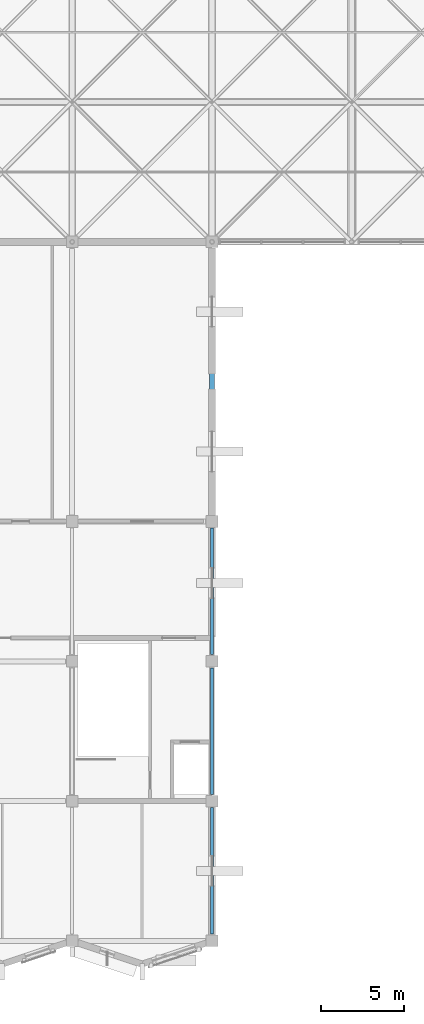
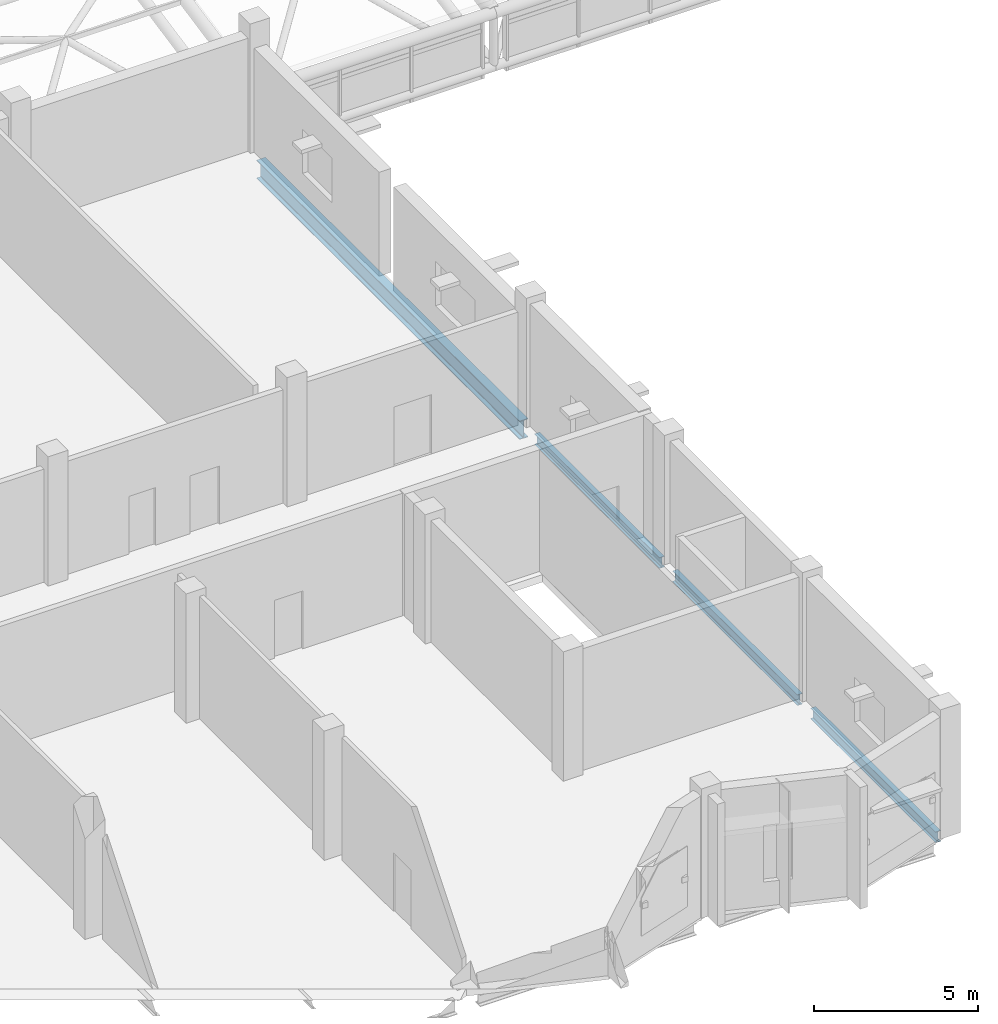
# One storey, part 32 of 110: 4 beams.
"""IFC4 building model written with IfcOpenShell, lengths in metres."""

from ifc_helpers import new_model, si_unit, direction, frame, origin, origin_2d, place, context, subcontext, project, spatial, i_section, extrude, material, material_profile, profile_set, type_object, element, save


model = new_model("IFC4")

# Units and contexts
model_context = context("Model", 3, precision=1e-05, world=origin(), true_north=direction((0.0, 1.0)))
body_context = subcontext(model_context, "Body", "Model", "MODEL_VIEW")
ifc_project = project(units=[si_unit("LENGTHUNIT", "METRE"), si_unit("AREAUNIT", "SQUARE_METRE"), si_unit("VOLUMEUNIT", "CUBIC_METRE"), si_unit("PLANEANGLEUNIT", "RADIAN"), si_unit("MASSUNIT", "GRAM", prefix="KILO")], contexts=[model_context])

# Site, building, storey
site_placement = place(None, origin())
site = spatial("IfcSite", under=ifc_project, at=site_placement, CompositionType="ELEMENT")
building_placement = place(site_placement, origin())
building = spatial("IfcBuilding", under=site, at=building_placement, Name="Qawsi Khor Wholesale Market", CompositionType="ELEMENT")
storey_placement = place(building_placement, frame((0.0, 0.0, 11.39990234375)))
storey = spatial("IfcBuildingStorey", under=building, at=storey_placement, Name="L02", CompositionType="ELEMENT", Elevation=11.39990234375)

# Beams
ifc_material = material(Name="Steel S355", Category="steel")
ifc_material_profile_1 = material_profile(ifc_material, i_section(OverallWidth=0.300048828125, OverallDepth=0.68994140625, WebThickness=0.014404296875, FlangeThickness=0.027099609375, FilletRadius=0.027099609375, at=origin_2d()), Name="HEA 700")
ifc_profile_set_1 = profile_set([ifc_material_profile_1], Name="Steel S355")
beam_type_1 = type_object("IfcBeamType", Name="Primary Girder HEA 700", PredefinedType="BEAM", material=ifc_profile_set_1)
beam_1_placement = place(storey_placement, frame((193.199951171875, 25.60009765625, -0.625), z_axis=(0.0, 1.0, 0.0), x_axis=(-1.0, 0.0, 0.0)))
element("IfcBeam", 1, at=beam_1_placement, inside=storey, type_object=beam_type_1, Name="BM-YL-L02-23_+03", PredefinedType="BEAM", context=body_context, shape_type="SweptSolid", body=[
    extrude(i_section(OverallWidth=0.300048828125, OverallDepth=0.68994140625, WebThickness=0.014404296875, FlangeThickness=0.027099609375, FilletRadius=0.027099609375, at=origin_2d()), origin(), (0.0, 0.0, 1.0), 16.0),
])
ifc_material_profile_2 = material_profile(ifc_material, i_section(OverallWidth=0.179931640625, OverallDepth=0.39990234375, WebThickness=0.008544921875, FlangeThickness=0.013427734375, FilletRadius=0.02099609375, at=origin_2d()), Name="IPE 400")
ifc_profile_set_2 = profile_set([ifc_material_profile_2], Name="Steel S355")
beam_type_2 = type_object("IfcBeamType", Name="Secondary Beam IPE 400", PredefinedType="BEAM", material=ifc_profile_set_2)
beam_2_placement = place(storey_placement, frame((193.199951171875, 0.39990234375, -0.47998046875), z_axis=(0.0, 1.0, 0.0), x_axis=(-1.0, 0.0, 0.0)))
element("IfcBeam", 2, at=beam_2_placement, inside=storey, type_object=beam_type_2, Name="BM-Y-L02-23_+00", PredefinedType="BEAM", context=body_context, shape_type="SweptSolid", body=[
    extrude(i_section(OverallWidth=0.179931640625, OverallDepth=0.39990234375, WebThickness=0.008544921875, FlangeThickness=0.013427734375, FilletRadius=0.02099609375, at=origin_2d()), origin(), (0.0, 0.0, 1.0), 7.60009765625),
])
beam_3_placement = place(storey_placement, frame((193.199951171875, 8.800048828125, -0.47998046875), z_axis=(0.0, 1.0, 0.0), x_axis=(-1.0, 0.0, 0.0)))
element("IfcBeam", 3, at=beam_3_placement, inside=storey, type_object=beam_type_2, Name="BM-Y-L02-23_+01", PredefinedType="BEAM", context=body_context, shape_type="SweptSolid", body=[
    extrude(i_section(OverallWidth=0.179931640625, OverallDepth=0.39990234375, WebThickness=0.008544921875, FlangeThickness=0.013427734375, FilletRadius=0.02099609375, at=origin_2d()), origin(), (0.0, 0.0, 1.0), 7.599853515625),
])
beam_4_placement = place(storey_placement, frame((193.199951171875, 17.199951171875, -0.47998046875), z_axis=(0.0, 1.0, 0.0), x_axis=(-1.0, 0.0, 0.0)))
element("IfcBeam", 4, at=beam_4_placement, inside=storey, type_object=beam_type_2, Name="BM-Y-L02-23_+02", PredefinedType="BEAM", context=body_context, shape_type="SweptSolid", body=[
    extrude(i_section(OverallWidth=0.179931640625, OverallDepth=0.39990234375, WebThickness=0.008544921875, FlangeThickness=0.013427734375, FilletRadius=0.02099609375, at=origin_2d()), origin(), (0.0, 0.0, 1.0), 7.60009765625),
])

save(model, "model.ifc")
